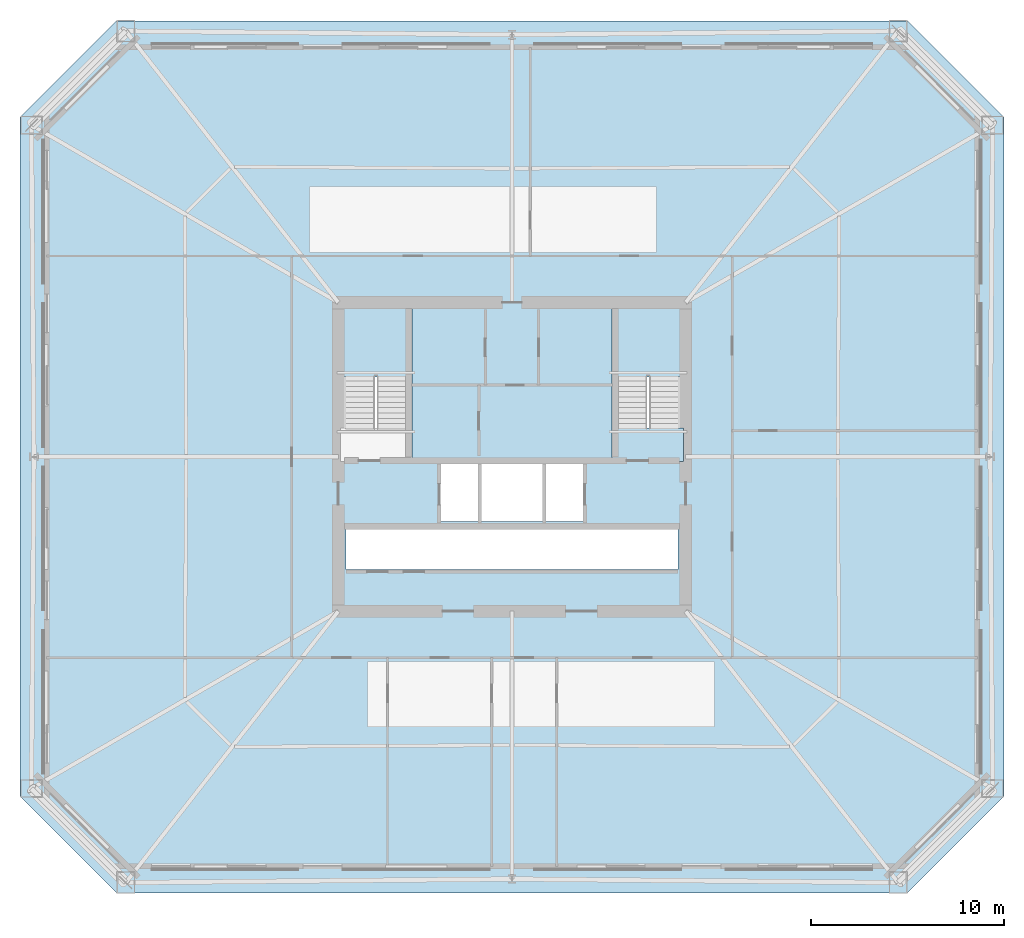
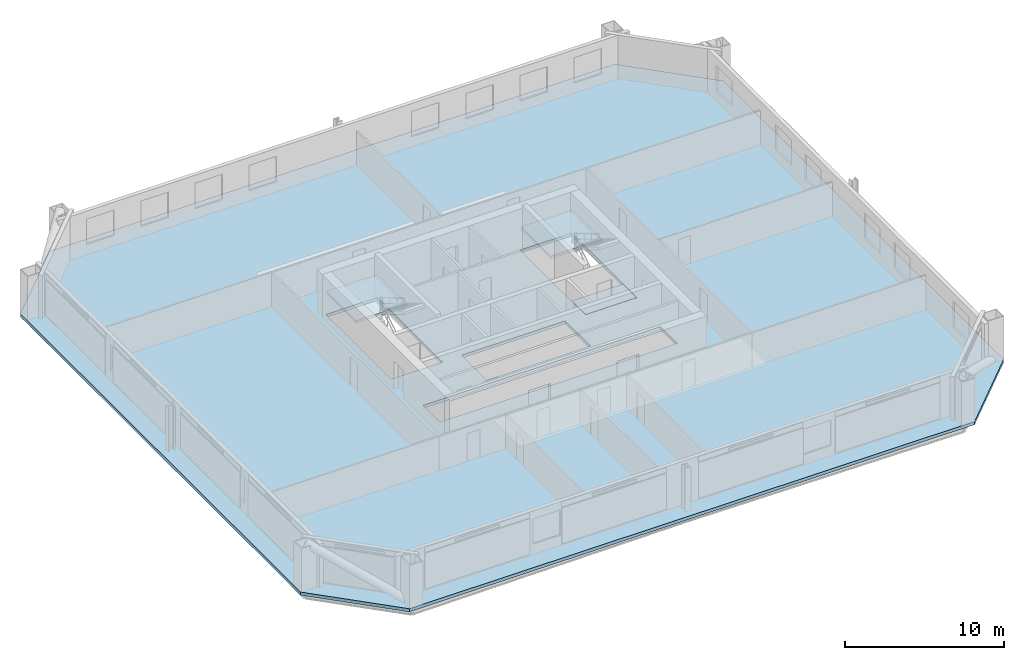
# One storey, part 3 of 9: 4 slabs, 2 elements without a shape of their own.
"""IFC4 building model written with IfcOpenShell, lengths in metres."""

from ifc_helpers import new_model, si_unit, direction, frame, origin, place, context, subcontext, project, spatial, polyline, outline, extrude, material, layer, layer_set, type_object, element, aggregate, save


model = new_model("IFC4")

# Units and contexts
model_context = context("Model", 3, precision=1e-05, world=origin(), true_north=direction((0.0, 1.0)))
body_context = subcontext(model_context, "Body", "Model", "MODEL_VIEW")
ifc_project = project(units=[si_unit("LENGTHUNIT", "METRE"), si_unit("AREAUNIT", "SQUARE_METRE"), si_unit("VOLUMEUNIT", "CUBIC_METRE"), si_unit("PLANEANGLEUNIT", "RADIAN"), si_unit("MASSUNIT", "GRAM", prefix="KILO")], contexts=[model_context])

# Site, building, storey
site_placement = place(None, origin())
site = spatial("IfcSite", under=ifc_project, at=site_placement, CompositionType="ELEMENT")
building_placement = place(site_placement, origin())
building = spatial("IfcBuilding", under=site, at=building_placement, Name="Caelvoria Tower", CompositionType="ELEMENT")
storey_placement = place(building_placement, frame((0.0, 0.0, 53.199951171875)))
storey = spatial("IfcBuildingStorey", under=building, at=storey_placement, Name="L13", CompositionType="ELEMENT", Elevation=53.199951171875)

# Stair, slab
ifc_material = material(Name="Concrete C40/50", Category="concrete")
stair_type = type_object("IfcStairType", Name="Core Smokeproof Dogleg Stair Concrete C40/50", PredefinedType="HALF_TURN_STAIR", material=ifc_material)
stair_1_placement = place(storey_placement, origin())
stair_1 = element("IfcStair", 1, at=stair_1_placement, inside=storey, type_object=stair_type, Name="ST-01 Smokeproof Exit Stair L13", PredefinedType="HALF_TURN_STAIR")
ifc_layer_1 = layer(ifc_material, 0.199951171875, Name="Concrete C40/50")
ifc_layer_set_1 = layer_set([ifc_layer_1], Name="Stair Half and Floor Landing Slab 200 Concrete C40/50 - Concrete C40/50")
slab_type_1 = type_object("IfcSlabType", Name="Stair Half and Floor Landing Slab 200 Concrete C40/50", PredefinedType="LANDING", material=ifc_layer_set_1)
slab_1_placement = place(storey_placement, frame((0.0, 0.0, 1.60009765625)))
slab_1 = element("IfcSlab", 2, at=slab_1_placement, type_object=slab_type_1, Name="ST-01 landing 2", PredefinedType="LANDING", context=body_context, shape_type="SweptSolid", body=[
    extrude(outline(polyline([(37.10009765625, 36.14990234375), (40.800048828125, 36.14990234375), (40.800048828125, 39.89990234375), (37.10009765625, 39.89990234375), (37.10009765625, 36.14990234375)])), origin(), (0.0, 0.0, 1.0), 0.199951171875),
])
aggregate(stair_1, [slab_1])

# Stair, slabs
stair_2_placement = place(storey_placement, origin())
stair_2 = element("IfcStair", 3, at=stair_2_placement, inside=storey, type_object=stair_type, Name="ST-02 Smokeproof Exit Stair L13", PredefinedType="HALF_TURN_STAIR")
slab_2_placement = place(storey_placement, frame((0.0, 0.0, -0.199951171875)))
slab_2 = element("IfcSlab", 4, at=slab_2_placement, type_object=slab_type_1, Name="ST-02 landing 1", PredefinedType="LANDING", context=body_context, shape_type="SweptSolid", body=[
    extrude(outline(polyline([(51.199951171875, 31.77001953125), (54.89990234375, 31.77001953125), (54.89990234375, 33.5), (51.199951171875, 33.5), (51.199951171875, 31.77001953125)])), origin(), (0.0, 0.0, 1.0), 0.199951171875),
])
slab_3_placement = place(storey_placement, frame((0.0, 0.0, 1.60009765625)))
slab_3 = element("IfcSlab", 5, at=slab_3_placement, type_object=slab_type_1, Name="ST-02 landing 2", PredefinedType="LANDING", context=body_context, shape_type="SweptSolid", body=[
    extrude(outline(polyline([(51.199951171875, 36.14990234375), (54.89990234375, 36.14990234375), (54.89990234375, 39.89990234375), (51.199951171875, 39.89990234375), (51.199951171875, 36.14990234375)])), origin(), (0.0, 0.0, 1.0), 0.199951171875),
])
aggregate(stair_2, [slab_2, slab_3])

# Slab
ifc_layer_2 = layer(ifc_material, 0.239990234375, Name="Concrete C40/50")
ifc_layer_set_2 = layer_set([ifc_layer_2], Name="Tower Composite Office Slab 240 - Concrete C40/50")
slab_type_2 = type_object("IfcSlabType", Name="Tower Composite Office Slab 240", PredefinedType="FLOOR", material=ifc_layer_set_2)
slab_4_placement = place(storey_placement, frame((0.0, 0.0, -0.239990234375)))
element("IfcSlab", 6, at=slab_4_placement, inside=storey, type_object=slab_type_2, Name="Level L13 Structural Floor Slab", PredefinedType="FLOOR", context=body_context, shape_type="SweptSolid", body=[
    extrude(outline(polyline([(25.5, 9.39990234375), (66.5, 9.39990234375), (71.5, 14.39990234375), (71.5, 49.60009765625), (66.5, 54.60009765625), (25.5, 54.60009765625), (20.5, 49.60009765625), (20.5, 14.39990234375), (25.5, 9.39990234375)]), holes=[polyline([(37.080078125, 31.75), (40.820068359375, 31.75), (40.820068359375, 39.919921875), (37.080078125, 39.919921875), (37.080078125, 31.75)]), polyline([(51.179931640625, 31.75), (54.919921875, 31.75), (54.919921875, 39.919921875), (51.179931640625, 39.919921875), (51.179931640625, 31.75)]), polyline([(42.25, 28.64990234375), (49.75, 28.64990234375), (49.75, 31.800048828125), (42.25, 31.800048828125), (42.25, 28.64990234375)]), polyline([(37.39990234375, 26.14990234375), (54.60009765625, 26.14990234375), (54.60009765625, 28.25), (37.39990234375, 28.25), (37.39990234375, 26.14990234375)])]), origin(), (0.0, 0.0, 1.0), 0.239990234375),
])

save(model, "model.ifc")
